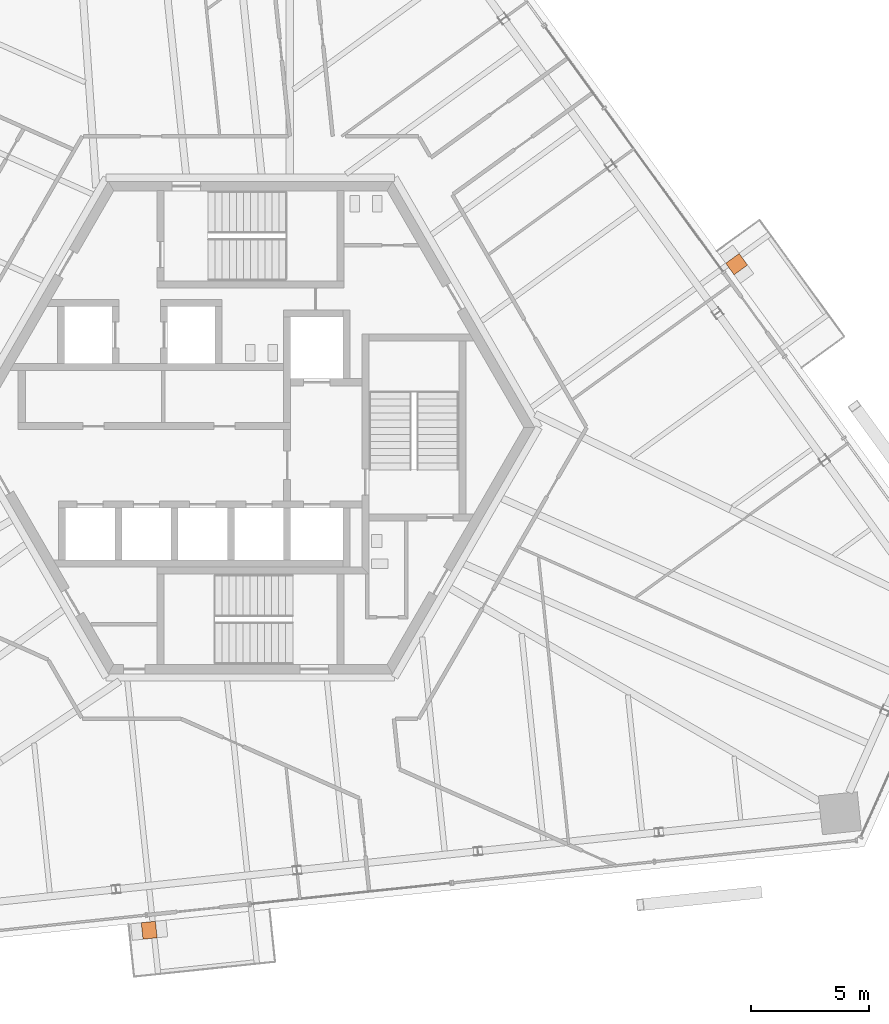
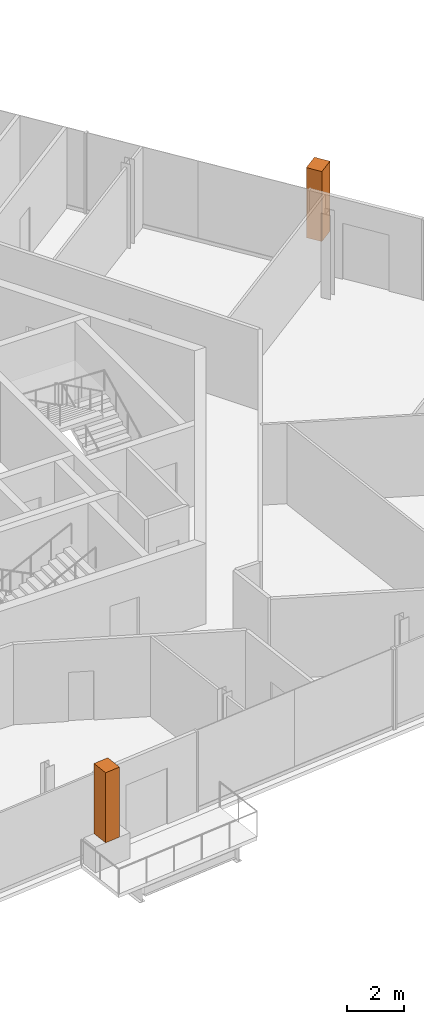
# One storey, part 19 of 19: 2 geographic elements.
"""IFC4 building model written with IfcOpenShell, lengths in metres."""

from ifc_helpers import new_model, si_unit, direction, frame, origin, origin_2d, place, context, subcontext, project, spatial, rectangle, extrude, source, transform, mapped, material, type_object, element, save


model = new_model("IFC4")

# Units and contexts
model_context = context("Model", 3, precision=1e-05, world=origin(), true_north=direction((0.0, 1.0)))
body_context = subcontext(model_context, "Body", "Model", "MODEL_VIEW")
ifc_project = project(units=[si_unit("LENGTHUNIT", "METRE"), si_unit("AREAUNIT", "SQUARE_METRE"), si_unit("VOLUMEUNIT", "CUBIC_METRE"), si_unit("PLANEANGLEUNIT", "RADIAN"), si_unit("MASSUNIT", "GRAM", prefix="KILO")], contexts=[model_context])

# Site, building, storey
site_placement = place(None, origin())
site = spatial("IfcSite", under=ifc_project, at=site_placement, CompositionType="ELEMENT")
building_placement = place(site_placement, origin())
building = spatial("IfcBuilding", under=site, at=building_placement, Name="Triune Harvest Tower", CompositionType="ELEMENT")
storey_placement = place(building_placement, frame((0.0, 0.0, 223.300048828125)))
storey = spatial("IfcBuildingStorey", under=building, at=storey_placement, Name="L58", CompositionType="ELEMENT", Elevation=223.300048828125)

# Geographic elements
ifc_material = material(Name="TREE-1 tree")
geographic_element_type = type_object("IfcGeographicElementType", Name="TREE-1 tree", PredefinedType="USERDEFINED", material=ifc_material)
shared_shape = source(origin(), body_context, "Body", "SweptSolid", [
    extrude(rectangle(XDim=0.60009765625, YDim=0.699951171875, at=origin_2d()), origin(), (0.0, 0.0, 1.0), 3.0),
])
for number, where, z_axis, x_axis, name in (
    (1, (20.51953125, 6.89501953125, 1.099853515625), (0.0, 0.0, 1.0), (-0.587785672066, 0.809016689391, 0.0), "Tree B6-F1 L58.4b"),
    (2, (-4.272216796875, -21.21630859375, 1.099853515625), (0.0, 0.0, 1.0), (0.994521747579, 0.104529869379, 0.0), "Tree B6-F5 L58.5a"),
):
    element("IfcGeographicElement", number, at=place(storey_placement, frame(where, z_axis=z_axis, x_axis=x_axis)), inside=storey, type_object=geographic_element_type, Name=name, ObjectType="TREE", PredefinedType="USERDEFINED", context=body_context, shape_type="MappedRepresentation", body=[
        mapped(shared_shape, transform((0.0, 0.0, 0.0), scale=1.0)),
    ])

save(model, "model.ifc")
